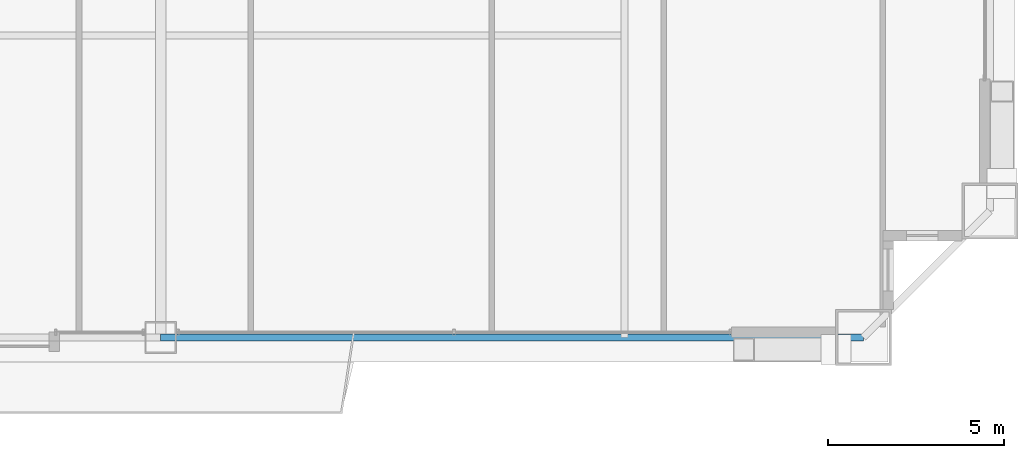
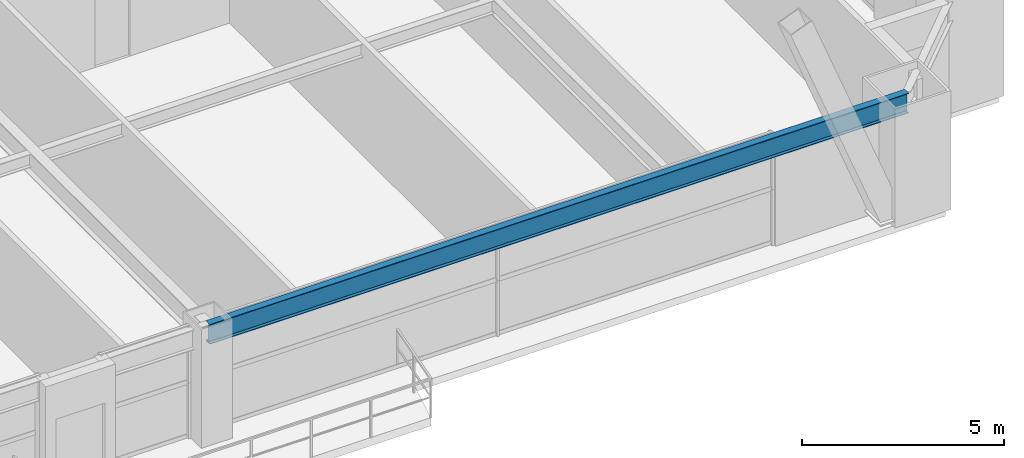
# One storey, part 15 of 43: 1 beam.
"""IFC4 building model written with IfcOpenShell, lengths in metres."""

from ifc_helpers import new_model, si_unit, direction, frame, origin, origin_2d, place, context, subcontext, project, spatial, i_section, extrude, source, transform, mapped, material, material_profile, profile_set, type_object, element, save


model = new_model("IFC4")

# Units and contexts
model_context = context("Model", 3, precision=1e-05, world=origin(), true_north=direction((0.0, 1.0)))
body_context = subcontext(model_context, "Body", "Model", "MODEL_VIEW")
ifc_project = project(units=[si_unit("LENGTHUNIT", "METRE"), si_unit("AREAUNIT", "SQUARE_METRE"), si_unit("VOLUMEUNIT", "CUBIC_METRE"), si_unit("PLANEANGLEUNIT", "RADIAN"), si_unit("MASSUNIT", "GRAM", prefix="KILO"), si_unit("THERMODYNAMICTEMPERATUREUNIT", "KELVIN"), si_unit("POWERUNIT", "WATT")], contexts=[model_context])

# Site, building, storey
site_placement = place(None, origin())
site = spatial("IfcSite", under=ifc_project, at=site_placement, CompositionType="ELEMENT")
building_placement = place(site_placement, origin())
building = spatial("IfcBuilding", under=site, at=building_placement, Name="Yuzanri Waterfront Tower", CompositionType="ELEMENT")
storey_placement = place(building_placement, frame((0.0, 0.0, 159.60009765625)))
storey = spatial("IfcBuildingStorey", under=building, at=storey_placement, Name="L42", CompositionType="ELEMENT", Elevation=159.60009765625)

# Beam
ifc_material = material(Name="Steel Q355B", Category="steel")
ifc_material_profile = material_profile(ifc_material, i_section(OverallWidth=0.199951171875, OverallDepth=0.60009765625, WebThickness=0.010986328125, FlangeThickness=0.01708984375, at=origin_2d()), Name="HN 600x200x11x17")
ifc_profile_set = profile_set([ifc_material_profile], Name="Steel Q355B")
beam_type = type_object("IfcBeamType", Name="Perimeter Spandrel Q355B HN 600x200", PredefinedType="SPANDREL", material=ifc_profile_set)
shared_shape = source(origin(), body_context, "Body", "SweptSolid", [
    extrude(i_section(OverallWidth=0.199951171875, OverallDepth=0.60009765625, WebThickness=0.010986328125, FlangeThickness=0.01708984375, at=origin_2d()), origin(), (0.0, 0.0, 1.0), 20.0),
])
beam_placement = place(storey_placement, frame((37.0, 2.199951171875, 3.079833984375), z_axis=(1.0, 0.0, 0.0), x_axis=(0.0, 1.0, 0.0)))
element("IfcBeam", 1, at=beam_placement, inside=storey, type_object=beam_type, Name="L42 Perimeter Spandrel S2-S3", PredefinedType="SPANDREL", context=body_context, shape_type="MappedRepresentation", body=[
    mapped(shared_shape, transform((0.0, 0.0, 0.0), scale=1.0)),
])

save(model, "model.ifc")
